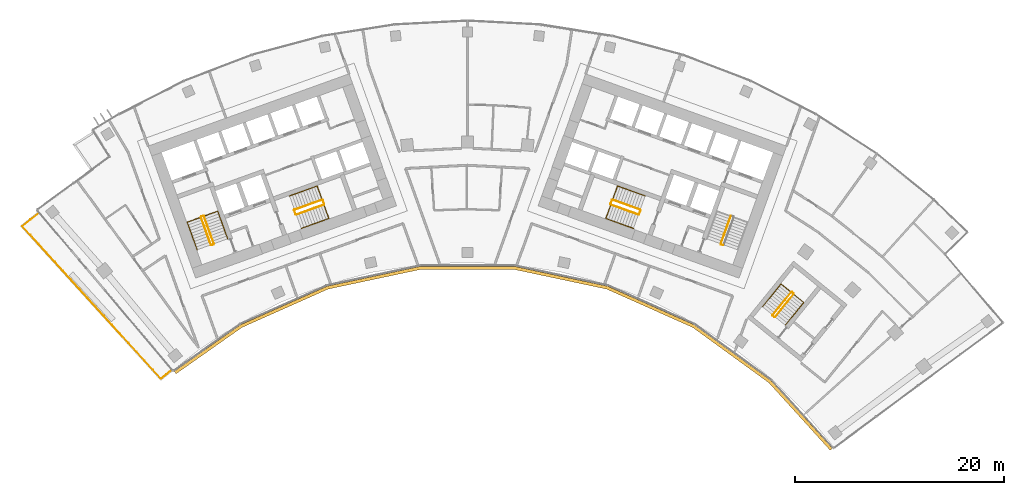
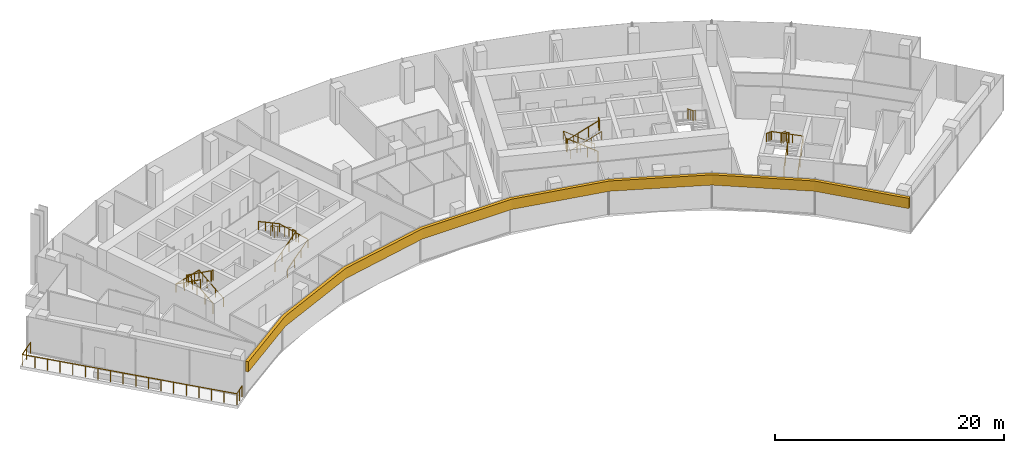
# One storey, part 17 of 18: 14 railings, 1 covering.
"""IFC4 building model written with IfcOpenShell, lengths in metres."""

from ifc_helpers import new_model, si_unit, direction, frame, origin, origin_2d, place, context, subcontext, project, spatial, polyline, circle, outline, extrude, material, layer, layer_set, type_object, element, save


model = new_model("IFC4")

# Units and contexts
model_context = context("Model", 3, precision=1e-05, world=origin(), true_north=direction((0.0, 1.0)))
body_context = subcontext(model_context, "Body", "Model", "MODEL_VIEW")
ifc_project = project(units=[si_unit("LENGTHUNIT", "METRE"), si_unit("AREAUNIT", "SQUARE_METRE"), si_unit("VOLUMEUNIT", "CUBIC_METRE"), si_unit("PLANEANGLEUNIT", "RADIAN"), si_unit("MASSUNIT", "GRAM", prefix="KILO")], contexts=[model_context])

# Site, building, storey
site_placement = place(None, origin())
site = spatial("IfcSite", under=ifc_project, at=site_placement, CompositionType="ELEMENT")
building_placement = place(site_placement, origin())
building = spatial("IfcBuilding", under=site, at=building_placement, Name="Stone Belt Terrace Tower", CompositionType="ELEMENT")
storey_placement = place(building_placement, frame((0.0, 0.0, 239.0)))
storey = spatial("IfcBuildingStorey", under=building, at=storey_placement, Name="L58", CompositionType="ELEMENT", Elevation=239.0)

# Railings
ifc_material_1 = material(Name="Structural steel C345", Category="steel")
railing_type_1 = type_object("IfcRailingType", Name="Stair guard 1100", PredefinedType="GUARDRAIL", material=ifc_material_1)
railing_1_placement = place(storey_placement, frame((-24.2119140625, 45.276123046875, 0.172607421875)))
element("IfcRailing", 1, at=railing_1_placement, inside=storey, type_object=railing_type_1, Name="L58 ST1A stair guard 1", PredefinedType="GUARDRAIL", context=body_context, shape_type="SweptSolid", body=[
    extrude(circle(Radius=0.02392578125, at=origin_2d()), frame((0.0, 0.0, 1.076171875), z_axis=(-0.288228637646, 0.800791768495, 0.525030280985), x_axis=(-0.940908529223, -0.338660803216, 0.0)), (0.0, 0.0, 1.0), 3.289794921875),
    extrude(circle(Radius=0.02392578125, at=origin_2d()), frame((-0.9482421875, 2.634521484375, 2.80322265625), z_axis=(-0.905209821074, 0.424964916, 0.0), x_axis=(-0.424964916, -0.905209821074, 0.0)), (0.0, 0.0, 1.0), 0.070556640625),
    extrude(circle(Radius=0.02392578125, at=origin_2d()), frame((-1.01220703125, 2.66455078125, 2.80322265625), z_axis=(-0.941105063269, -0.338114270461, 0.0), x_axis=(0.338114270461, -0.941105063269, 0.0)), (0.0, 0.0, 1.0), 0.199951171875),
    extrude(circle(Radius=0.02099609375, at=origin_2d()), origin(), (0.0, 0.0, 1.0), 1.052001953125),
    extrude(circle(Radius=0.02099609375, at=origin_2d()), frame((-0.316162109375, 0.878173828125, 0.57568359375)), (0.0, 0.0, 1.0), 1.052001953125),
    extrude(circle(Radius=0.02099609375, at=origin_2d()), frame((-0.632080078125, 1.75634765625, 1.151611328125)), (0.0, 0.0, 1.0), 1.052001953125),
    extrude(circle(Radius=0.02099609375, at=origin_2d()), frame((-0.9482421875, 2.634521484375, 1.727294921875)), (0.0, 0.0, 1.0), 1.052001953125),
    extrude(circle(Radius=0.02099609375, at=origin_2d()), frame((-1.01220703125, 2.66455078125, 1.727294921875)), (0.0, 0.0, 1.0), 1.052001953125),
    extrude(circle(Radius=0.02099609375, at=origin_2d()), frame((-1.200439453125, 2.596923828125, 1.727294921875)), (0.0, 0.0, 1.0), 1.052001953125),
])
railing_2_placement = place(storey_placement, frame((-25.4423828125, 47.80908203125, 2.07275390625)))
element("IfcRailing", 2, at=railing_2_placement, inside=storey, type_object=railing_type_1, Name="L58 ST1A stair guard 2", PredefinedType="GUARDRAIL", context=body_context, shape_type="SweptSolid", body=[
    extrude(circle(Radius=0.02392578125, at=origin_2d()), frame((0.0, 0.0, 1.076171875), z_axis=(0.288228637646, -0.800791768495, 0.525030280985), x_axis=(0.940908529223, 0.338660803216, 0.0)), (0.0, 0.0, 1.0), 3.289794921875),
    extrude(circle(Radius=0.02392578125, at=origin_2d()), frame((0.9482421875, -2.634521484375, 2.80322265625), z_axis=(0.903878284585, -0.427789722475, 0.0), x_axis=(0.427789722475, 0.903878284585, 0.0)), (0.0, 0.0, 1.0), 0.07080078125),
    extrude(circle(Radius=0.02392578125, at=origin_2d()), frame((1.01220703125, -2.664794921875, 2.80322265625), z_axis=(0.940575576748, 0.339584429008, 0.0), x_axis=(-0.339584429008, 0.940575576748, 0.0)), (0.0, 0.0, 1.0), 0.199951171875),
    extrude(circle(Radius=0.02099609375, at=origin_2d()), origin(), (0.0, 0.0, 1.0), 1.052001953125),
    extrude(circle(Radius=0.02099609375, at=origin_2d()), frame((0.316162109375, -0.878173828125, 0.57568359375)), (0.0, 0.0, 1.0), 1.052001953125),
    extrude(circle(Radius=0.02099609375, at=origin_2d()), frame((0.632080078125, -1.75634765625, 1.151611328125)), (0.0, 0.0, 1.0), 1.052001953125),
    extrude(circle(Radius=0.02099609375, at=origin_2d()), frame((0.9482421875, -2.634521484375, 1.727294921875)), (0.0, 0.0, 1.0), 1.052001953125),
    extrude(circle(Radius=0.02099609375, at=origin_2d()), frame((1.01220703125, -2.664794921875, 1.727294921875)), (0.0, 0.0, 1.0), 1.052001953125),
    extrude(circle(Radius=0.02099609375, at=origin_2d()), frame((1.2001953125, -2.596923828125, 1.727294921875)), (0.0, 0.0, 1.0), 1.052001953125),
])
railing_3_placement = place(storey_placement, frame((-16.33837890625, 48.056640625, 0.172607421875)))
element("IfcRailing", 3, at=railing_3_placement, inside=storey, type_object=railing_type_1, Name="L58 ST2A stair guard 1", PredefinedType="GUARDRAIL", context=body_context, shape_type="SweptSolid", body=[
    extrude(circle(Radius=0.02392578125, at=origin_2d()), frame((0.0, 0.0, 1.076171875), z_axis=(0.800808895155, 0.288160591223, 0.52504150989), x_axis=(-0.338583606334, 0.940936311087, 0.0)), (0.0, 0.0, 1.0), 3.289794921875),
    extrude(circle(Radius=0.02392578125, at=origin_2d()), frame((2.634521484375, 0.947998046875, 2.80322265625), z_axis=(0.427789722475, 0.903878284585, 0.0), x_axis=(-0.903878284585, 0.427789722475, 0.0)), (0.0, 0.0, 1.0), 0.07080078125),
    extrude(circle(Radius=0.02392578125, at=origin_2d()), frame((2.664794921875, 1.011962890625, 2.80322265625), z_axis=(-0.338654645739, 0.940910745459, 0.0), x_axis=(-0.940910745459, -0.338654645739, 0.0)), (0.0, 0.0, 1.0), 0.400146484375),
    extrude(circle(Radius=0.02099609375, at=origin_2d()), origin(), (0.0, 0.0, 1.0), 1.052001953125),
    extrude(circle(Radius=0.02099609375, at=origin_2d()), frame((0.878173828125, 0.31591796875, 0.57568359375)), (0.0, 0.0, 1.0), 1.052001953125),
    extrude(circle(Radius=0.02099609375, at=origin_2d()), frame((1.75634765625, 0.632080078125, 1.151611328125)), (0.0, 0.0, 1.0), 1.052001953125),
    extrude(circle(Radius=0.02099609375, at=origin_2d()), frame((2.634521484375, 0.947998046875, 1.727294921875)), (0.0, 0.0, 1.0), 1.052001953125),
    extrude(circle(Radius=0.02099609375, at=origin_2d()), frame((2.664794921875, 1.011962890625, 1.727294921875)), (0.0, 0.0, 1.0), 1.052001953125),
    extrude(circle(Radius=0.02099609375, at=origin_2d()), frame((2.529296875, 1.388427734375, 1.727294921875)), (0.0, 0.0, 1.0), 1.052001953125),
])
railing_4_placement = place(storey_placement, frame((-13.873046875, 49.47509765625, 2.07275390625)))
element("IfcRailing", 4, at=railing_4_placement, inside=storey, type_object=railing_type_1, Name="L58 ST2A stair guard 2", PredefinedType="GUARDRAIL", context=body_context, shape_type="SweptSolid", body=[
    extrude(circle(Radius=0.02392578125, at=origin_2d()), frame((0.0, 0.0, 1.076171875), z_axis=(-0.800808895155, -0.288160591223, 0.52504150989), x_axis=(0.338583606334, -0.940936311087, 0.0)), (0.0, 0.0, 1.0), 3.289794921875),
    extrude(circle(Radius=0.02392578125, at=origin_2d()), frame((-2.634521484375, -0.947998046875, 2.80322265625), z_axis=(-0.427789722475, -0.903878284585, 0.0), x_axis=(0.903878284585, -0.427789722475, 0.0)), (0.0, 0.0, 1.0), 0.07080078125),
    extrude(circle(Radius=0.02392578125, at=origin_2d()), frame((-2.664794921875, -1.011962890625, 2.80322265625), z_axis=(0.338654645739, -0.940910745459, 0.0), x_axis=(0.940910745459, 0.338654645739, 0.0)), (0.0, 0.0, 1.0), 0.400146484375),
    extrude(circle(Radius=0.02099609375, at=origin_2d()), origin(), (0.0, 0.0, 1.0), 1.052001953125),
    extrude(circle(Radius=0.02099609375, at=origin_2d()), frame((-0.878173828125, -0.31591796875, 0.57568359375)), (0.0, 0.0, 1.0), 1.052001953125),
    extrude(circle(Radius=0.02099609375, at=origin_2d()), frame((-1.75634765625, -0.632080078125, 1.151611328125)), (0.0, 0.0, 1.0), 1.052001953125),
    extrude(circle(Radius=0.02099609375, at=origin_2d()), frame((-2.634521484375, -0.947998046875, 1.727294921875)), (0.0, 0.0, 1.0), 1.052001953125),
    extrude(circle(Radius=0.02099609375, at=origin_2d()), frame((-2.664794921875, -1.011962890625, 1.727294921875)), (0.0, 0.0, 1.0), 1.052001953125),
    extrude(circle(Radius=0.02099609375, at=origin_2d()), frame((-2.529296875, -1.388427734375, 1.727294921875)), (0.0, 0.0, 1.0), 1.052001953125),
])
railing_5_placement = place(storey_placement, frame((25.16015625, 47.91064453125, 2.07275390625)))
element("IfcRailing", 5, at=railing_5_placement, inside=storey, type_object=railing_type_1, Name="L58 ST1B stair guard 2", PredefinedType="GUARDRAIL", context=body_context, shape_type="SweptSolid", body=[
    extrude(circle(Radius=0.02392578125, at=origin_2d()), frame((0.0, 0.0, 1.076171875), z_axis=(-0.288228637646, -0.800791768495, 0.525030280985), x_axis=(0.940908529223, -0.338660803216, 0.0)), (0.0, 0.0, 1.0), 3.289794921875),
    extrude(circle(Radius=0.02392578125, at=origin_2d()), frame((-0.9482421875, -2.634521484375, 2.80322265625), z_axis=(0.427789722475, -0.903878284585, 0.0), x_axis=(0.903878284585, 0.427789722475, 0.0)), (0.0, 0.0, 1.0), 0.07080078125),
    extrude(circle(Radius=0.02392578125, at=origin_2d()), frame((-0.91796875, -2.698486328125, 2.80322265625), z_axis=(0.940575576748, -0.339584429008, 0.0), x_axis=(0.339584429008, 0.940575576748, 0.0)), (0.0, 0.0, 1.0), 0.199951171875),
    extrude(circle(Radius=0.02099609375, at=origin_2d()), origin(), (0.0, 0.0, 1.0), 1.052001953125),
    extrude(circle(Radius=0.02099609375, at=origin_2d()), frame((-0.316162109375, -0.878173828125, 0.57568359375)), (0.0, 0.0, 1.0), 1.052001953125),
    extrude(circle(Radius=0.02099609375, at=origin_2d()), frame((-0.632080078125, -1.75634765625, 1.151611328125)), (0.0, 0.0, 1.0), 1.052001953125),
    extrude(circle(Radius=0.02099609375, at=origin_2d()), frame((-0.9482421875, -2.634521484375, 1.727294921875)), (0.0, 0.0, 1.0), 1.052001953125),
    extrude(circle(Radius=0.02099609375, at=origin_2d()), frame((-0.91796875, -2.698486328125, 1.727294921875)), (0.0, 0.0, 1.0), 1.052001953125),
    extrude(circle(Radius=0.02099609375, at=origin_2d()), frame((-0.72998046875, -2.766357421875, 1.727294921875)), (0.0, 0.0, 1.0), 1.052001953125),
])
railing_6_placement = place(storey_placement, frame((16.507568359375, 48.527099609375, 0.172607421875)))
element("IfcRailing", 6, at=railing_6_placement, inside=storey, type_object=railing_type_1, Name="L58 ST2B stair guard 1", PredefinedType="GUARDRAIL", context=body_context, shape_type="SweptSolid", body=[
    extrude(circle(Radius=0.02392578125, at=origin_2d()), frame((0.0, 0.0, 1.076171875), z_axis=(-0.800808895155, 0.288160591223, 0.52504150989), x_axis=(-0.338583606334, -0.940936311087, 0.0)), (0.0, 0.0, 1.0), 3.289794921875),
    extrude(circle(Radius=0.02392578125, at=origin_2d()), frame((-2.634521484375, 0.947998046875, 2.80322265625), z_axis=(-0.905209821074, -0.424964916, 0.0), x_axis=(0.424964916, -0.905209821074, 0.0)), (0.0, 0.0, 1.0), 0.070556640625),
    extrude(circle(Radius=0.02392578125, at=origin_2d()), frame((-2.698486328125, 0.91796875, 2.80322265625), z_axis=(-0.338654645739, -0.940910745459, 0.0), x_axis=(0.940910745459, -0.338654645739, 0.0)), (0.0, 0.0, 1.0), 0.400146484375),
    extrude(circle(Radius=0.02099609375, at=origin_2d()), origin(), (0.0, 0.0, 1.0), 1.052001953125),
    extrude(circle(Radius=0.02099609375, at=origin_2d()), frame((-0.878173828125, 0.31591796875, 0.57568359375)), (0.0, 0.0, 1.0), 1.052001953125),
    extrude(circle(Radius=0.02099609375, at=origin_2d()), frame((-1.75634765625, 0.632080078125, 1.151611328125)), (0.0, 0.0, 1.0), 1.052001953125),
    extrude(circle(Radius=0.02099609375, at=origin_2d()), frame((-2.634521484375, 0.947998046875, 1.727294921875)), (0.0, 0.0, 1.0), 1.052001953125),
    extrude(circle(Radius=0.02099609375, at=origin_2d()), frame((-2.698486328125, 0.91796875, 1.727294921875)), (0.0, 0.0, 1.0), 1.052001953125),
    extrude(circle(Radius=0.02099609375, at=origin_2d()), frame((-2.833984375, 0.54150390625, 1.727294921875)), (0.0, 0.0, 1.0), 1.052001953125),
])
railing_7_placement = place(storey_placement, frame((13.703857421875, 49.004638671875, 2.07275390625)))
element("IfcRailing", 7, at=railing_7_placement, inside=storey, type_object=railing_type_1, Name="L58 ST2B stair guard 2", PredefinedType="GUARDRAIL", context=body_context, shape_type="SweptSolid", body=[
    extrude(circle(Radius=0.02392578125, at=origin_2d()), frame((0.0, 0.0, 1.076171875), z_axis=(0.800808895155, -0.288160591223, 0.52504150989), x_axis=(0.338583606334, 0.940936311087, 0.0)), (0.0, 0.0, 1.0), 3.289794921875),
    extrude(circle(Radius=0.02392578125, at=origin_2d()), frame((2.634521484375, -0.947998046875, 2.80322265625), z_axis=(0.905209821074, 0.424964916, 0.0), x_axis=(-0.424964916, 0.905209821074, 0.0)), (0.0, 0.0, 1.0), 0.070556640625),
    extrude(circle(Radius=0.02392578125, at=origin_2d()), frame((2.698486328125, -0.91796875, 2.80322265625), z_axis=(0.338654645739, 0.940910745459, 0.0), x_axis=(-0.940910745459, 0.338654645739, 0.0)), (0.0, 0.0, 1.0), 0.400146484375),
    extrude(circle(Radius=0.02099609375, at=origin_2d()), origin(), (0.0, 0.0, 1.0), 1.052001953125),
    extrude(circle(Radius=0.02099609375, at=origin_2d()), frame((0.878173828125, -0.31591796875, 0.57568359375)), (0.0, 0.0, 1.0), 1.052001953125),
    extrude(circle(Radius=0.02099609375, at=origin_2d()), frame((1.75634765625, -0.632080078125, 1.151611328125)), (0.0, 0.0, 1.0), 1.052001953125),
    extrude(circle(Radius=0.02099609375, at=origin_2d()), frame((2.634521484375, -0.947998046875, 1.727294921875)), (0.0, 0.0, 1.0), 1.052001953125),
    extrude(circle(Radius=0.02099609375, at=origin_2d()), frame((2.698486328125, -0.91796875, 1.727294921875)), (0.0, 0.0, 1.0), 1.052001953125),
    extrude(circle(Radius=0.02099609375, at=origin_2d()), frame((2.833984375, -0.54150390625, 1.727294921875)), (0.0, 0.0, 1.0), 1.052001953125),
])
railing_8_placement = place(storey_placement, frame((29.39794921875, 38.281982421875, 0.172607421875)))
element("IfcRailing", 8, at=railing_8_placement, inside=storey, type_object=railing_type_1, Name="L58 ST3B stair guard 1", PredefinedType="GUARDRAIL", context=body_context, shape_type="SweptSolid", body=[
    extrude(circle(Radius=0.02392578125, at=origin_2d()), frame((0.0, 0.0, 1.076171875), z_axis=(0.536393061503, 0.660769759217, 0.525038864158), x_axis=(-0.776391310223, 0.630251166924, 0.0)), (0.0, 0.0, 1.0), 3.289794921875),
    extrude(circle(Radius=0.02392578125, at=origin_2d()), frame((1.7646484375, 2.173828125, 2.80322265625), z_axis=(-0.103251414163, 0.994655289773, 0.0), x_axis=(-0.994655289773, -0.103251414163, 0.0)), (0.0, 0.0, 1.0), 0.071044921875),
    extrude(circle(Radius=0.02392578125, at=origin_2d()), frame((1.75732421875, 2.244384765625, 2.80322265625), z_axis=(-0.776561986372, 0.630040856868, 0.0), x_axis=(-0.630040856868, -0.776561986372, 0.0)), (0.0, 0.0, 1.0), 0.199951171875),
    extrude(circle(Radius=0.02099609375, at=origin_2d()), origin(), (0.0, 0.0, 1.0), 1.052001953125),
    extrude(circle(Radius=0.02099609375, at=origin_2d()), frame((0.588134765625, 0.724609375, 0.57568359375)), (0.0, 0.0, 1.0), 1.052001953125),
    extrude(circle(Radius=0.02099609375, at=origin_2d()), frame((1.176513671875, 1.44921875, 1.151611328125)), (0.0, 0.0, 1.0), 1.052001953125),
    extrude(circle(Radius=0.02099609375, at=origin_2d()), frame((1.7646484375, 2.173828125, 1.727294921875)), (0.0, 0.0, 1.0), 1.052001953125),
    extrude(circle(Radius=0.02099609375, at=origin_2d()), frame((1.75732421875, 2.244384765625, 1.727294921875)), (0.0, 0.0, 1.0), 1.052001953125),
    extrude(circle(Radius=0.02099609375, at=origin_2d()), frame((1.60205078125, 2.370361328125, 1.727294921875)), (0.0, 0.0, 1.0), 1.052001953125),
])
railing_9_placement = place(storey_placement, frame((30.9296875, 40.64501953125, 2.07275390625)))
element("IfcRailing", 9, at=railing_9_placement, inside=storey, type_object=railing_type_1, Name="L58 ST3B stair guard 2", PredefinedType="GUARDRAIL", context=body_context, shape_type="SweptSolid", body=[
    extrude(circle(Radius=0.02392578125, at=origin_2d()), frame((0.0, 0.0, 1.076171875), z_axis=(-0.536366759382, -0.660811565066, 0.525013118792), x_axis=(0.776425942316, -0.630208502084, 0.0)), (0.0, 0.0, 1.0), 3.2900390625),
    extrude(circle(Radius=0.02392578125, at=origin_2d()), frame((-1.7646484375, -2.174072265625, 2.80322265625), z_axis=(0.103606084259, -0.994618408891, 0.0), x_axis=(0.994618408891, 0.103606084259, 0.0)), (0.0, 0.0, 1.0), 0.07080078125),
    extrude(circle(Radius=0.02392578125, at=origin_2d()), frame((-1.75732421875, -2.244384765625, 2.80322265625), z_axis=(0.776561986372, -0.630040856868, 0.0), x_axis=(0.630040856868, 0.776561986372, 0.0)), (0.0, 0.0, 1.0), 0.199951171875),
    extrude(circle(Radius=0.02099609375, at=origin_2d()), origin(), (0.0, 0.0, 1.0), 1.052001953125),
    extrude(circle(Radius=0.02099609375, at=origin_2d()), frame((-0.588134765625, -0.724609375, 0.57568359375)), (0.0, 0.0, 1.0), 1.052001953125),
    extrude(circle(Radius=0.02099609375, at=origin_2d()), frame((-1.176513671875, -1.449462890625, 1.151611328125)), (0.0, 0.0, 1.0), 1.052001953125),
    extrude(circle(Radius=0.02099609375, at=origin_2d()), frame((-1.7646484375, -2.174072265625, 1.727294921875)), (0.0, 0.0, 1.0), 1.052001953125),
    extrude(circle(Radius=0.02099609375, at=origin_2d()), frame((-1.75732421875, -2.244384765625, 1.727294921875)), (0.0, 0.0, 1.0), 1.052001953125),
    extrude(circle(Radius=0.02099609375, at=origin_2d()), frame((-1.60205078125, -2.370361328125, 1.727294921875)), (0.0, 0.0, 1.0), 1.052001953125),
])
railing_type_2 = type_object("IfcRailingType", Name="Stair handrail 900", PredefinedType="HANDRAIL", material=ifc_material_1)
railing_10_placement = place(storey_placement, frame((-22.894775390625, 45.750244140625, 0.172607421875)))
element("IfcRailing", 10, at=railing_10_placement, inside=storey, type_object=railing_type_2, Name="L58 ST1A stair handrail 1", PredefinedType="HANDRAIL", context=body_context, shape_type="SweptSolid", body=[
    extrude(circle(Radius=0.02392578125, at=origin_2d()), frame((0.0, 0.0, 0.8759765625), z_axis=(-0.288160591223, 0.800808895155, 0.52504150989), x_axis=(-0.940936311087, -0.338583606334, 0.0)), (0.0, 0.0, 1.0), 3.289794921875),
    extrude(circle(Radius=0.02392578125, at=origin_2d()), frame((-0.947998046875, 2.634521484375, 2.60302734375), z_axis=(-0.939460408074, -0.338105101667, 0.055669398135), x_axis=(0.338630230244, -0.940919532779, 0.0)), (0.0, 0.0, 1.0), 3.10498046875),
    extrude(circle(Radius=0.02392578125, at=origin_2d()), frame((-3.864990234375, 1.584716796875, 2.77587890625), z_axis=(0.288228637646, -0.800791768495, 0.525030280985), x_axis=(0.940908529223, 0.338660803216, 0.0)), (0.0, 0.0, 1.0), 3.289794921875),
    extrude(circle(Radius=0.02099609375, at=origin_2d()), origin(), (0.0, 0.0, 1.0), 0.851806640625),
    extrude(circle(Radius=0.02099609375, at=origin_2d()), frame((-0.31591796875, 0.878173828125, 0.57568359375)), (0.0, 0.0, 1.0), 0.851806640625),
    extrude(circle(Radius=0.02099609375, at=origin_2d()), frame((-0.632080078125, 1.75634765625, 1.151611328125)), (0.0, 0.0, 1.0), 0.851806640625),
    extrude(circle(Radius=0.02099609375, at=origin_2d()), frame((-0.947998046875, 2.634521484375, 1.727294921875)), (0.0, 0.0, 1.0), 0.851806640625),
    extrude(circle(Radius=0.02099609375, at=origin_2d()), frame((-1.92041015625, 2.28466796875, 1.784912109375)), (0.0, 0.0, 1.0), 0.851806640625),
    extrude(circle(Radius=0.02099609375, at=origin_2d()), frame((-2.892578125, 1.9345703125, 1.842529296875)), (0.0, 0.0, 1.0), 0.851806640625),
    extrude(circle(Radius=0.02099609375, at=origin_2d()), frame((-3.864990234375, 1.584716796875, 1.900146484375)), (0.0, 0.0, 1.0), 0.851806640625),
    extrude(circle(Radius=0.02099609375, at=origin_2d()), frame((-3.548828125, 0.70654296875, 2.475830078125)), (0.0, 0.0, 1.0), 0.851806640625),
    extrude(circle(Radius=0.02099609375, at=origin_2d()), frame((-3.23291015625, -0.171630859375, 3.0517578125)), (0.0, 0.0, 1.0), 0.851806640625),
    extrude(circle(Radius=0.02099609375, at=origin_2d()), frame((-2.916748046875, -1.0498046875, 3.62744140625)), (0.0, 0.0, 1.0), 0.851806640625),
])
railing_11_placement = place(storey_placement, frame((-15.8642578125, 46.7392578125, 0.172607421875)))
element("IfcRailing", 11, at=railing_11_placement, inside=storey, type_object=railing_type_2, Name="L58 ST2A stair handrail 1", PredefinedType="HANDRAIL", context=body_context, shape_type="SweptSolid", body=[
    extrude(circle(Radius=0.02392578125, at=origin_2d()), frame((0.0, 0.0, 0.8759765625), z_axis=(0.800791768495, 0.288228637646, 0.525030280985), x_axis=(-0.338660803216, 0.940908529223, 0.0)), (0.0, 0.0, 1.0), 3.289794921875),
    extrude(circle(Radius=0.02392578125, at=origin_2d()), frame((2.634521484375, 0.9482421875, 2.60302734375), z_axis=(-0.338158948057, 0.939634149308, 0.052308615955), x_axis=(-0.940922302781, -0.338622533404, 0.0)), (0.0, 0.0, 1.0), 3.304443359375),
    extrude(circle(Radius=0.02392578125, at=origin_2d()), frame((1.51708984375, 4.05322265625, 2.77587890625), z_axis=(-0.800791768495, -0.288228637646, 0.525030280985), x_axis=(0.338660803216, -0.940908529223, 0.0)), (0.0, 0.0, 1.0), 3.289794921875),
    extrude(circle(Radius=0.02099609375, at=origin_2d()), origin(), (0.0, 0.0, 1.0), 0.851806640625),
    extrude(circle(Radius=0.02099609375, at=origin_2d()), frame((0.878173828125, 0.316162109375, 0.57568359375)), (0.0, 0.0, 1.0), 0.851806640625),
    extrude(circle(Radius=0.02099609375, at=origin_2d()), frame((1.75634765625, 0.632080078125, 1.151611328125)), (0.0, 0.0, 1.0), 0.851806640625),
    extrude(circle(Radius=0.02099609375, at=origin_2d()), frame((2.634521484375, 0.9482421875, 1.727294921875)), (0.0, 0.0, 1.0), 0.851806640625),
    extrude(circle(Radius=0.02099609375, at=origin_2d()), frame((2.261962890625, 1.983154296875, 1.784912109375)), (0.0, 0.0, 1.0), 0.851806640625),
    extrude(circle(Radius=0.02099609375, at=origin_2d()), frame((1.8896484375, 3.018310546875, 1.842529296875)), (0.0, 0.0, 1.0), 0.851806640625),
    extrude(circle(Radius=0.02099609375, at=origin_2d()), frame((1.51708984375, 4.05322265625, 1.900146484375)), (0.0, 0.0, 1.0), 0.851806640625),
    extrude(circle(Radius=0.02099609375, at=origin_2d()), frame((0.638916015625, 3.737060546875, 2.475830078125)), (0.0, 0.0, 1.0), 0.851806640625),
    extrude(circle(Radius=0.02099609375, at=origin_2d()), frame((-0.2392578125, 3.421142578125, 3.0517578125)), (0.0, 0.0, 1.0), 0.851806640625),
    extrude(circle(Radius=0.02099609375, at=origin_2d()), frame((-1.117431640625, 3.10498046875, 3.62744140625)), (0.0, 0.0, 1.0), 0.851806640625),
])
railing_12_placement = place(storey_placement, frame((16.981689453125, 49.84423828125, 0.172607421875)))
element("IfcRailing", 12, at=railing_12_placement, inside=storey, type_object=railing_type_2, Name="L58 ST2B stair handrail 1", PredefinedType="HANDRAIL", context=body_context, shape_type="SweptSolid", body=[
    extrude(circle(Radius=0.02392578125, at=origin_2d()), frame((0.0, 0.0, 0.8759765625), z_axis=(-0.800791768495, 0.288228637646, 0.525030280985), x_axis=(-0.338660803216, -0.940908529223, 0.0)), (0.0, 0.0, 1.0), 3.289794921875),
    extrude(circle(Radius=0.02392578125, at=origin_2d()), frame((-2.634521484375, 0.9482421875, 2.60302734375), z_axis=(-0.338158948057, -0.939634149308, 0.052308615955), x_axis=(0.940922302781, -0.338622533404, 0.0)), (0.0, 0.0, 1.0), 3.304443359375),
    extrude(circle(Radius=0.02392578125, at=origin_2d()), frame((-3.751953125, -2.15673828125, 2.77587890625), z_axis=(0.800791768495, -0.288228637646, 0.525030280985), x_axis=(0.338660803216, 0.940908529223, 0.0)), (0.0, 0.0, 1.0), 3.289794921875),
    extrude(circle(Radius=0.02099609375, at=origin_2d()), origin(), (0.0, 0.0, 1.0), 0.851806640625),
    extrude(circle(Radius=0.02099609375, at=origin_2d()), frame((-0.878173828125, 0.316162109375, 0.57568359375)), (0.0, 0.0, 1.0), 0.851806640625),
    extrude(circle(Radius=0.02099609375, at=origin_2d()), frame((-1.75634765625, 0.632080078125, 1.151611328125)), (0.0, 0.0, 1.0), 0.851806640625),
    extrude(circle(Radius=0.02099609375, at=origin_2d()), frame((-2.634521484375, 0.9482421875, 1.727294921875)), (0.0, 0.0, 1.0), 0.851806640625),
    extrude(circle(Radius=0.02099609375, at=origin_2d()), frame((-3.007080078125, -0.086669921875, 1.784912109375)), (0.0, 0.0, 1.0), 0.851806640625),
    extrude(circle(Radius=0.02099609375, at=origin_2d()), frame((-3.37939453125, -1.121826171875, 1.842529296875)), (0.0, 0.0, 1.0), 0.851806640625),
    extrude(circle(Radius=0.02099609375, at=origin_2d()), frame((-3.751953125, -2.15673828125, 1.900146484375)), (0.0, 0.0, 1.0), 0.851806640625),
    extrude(circle(Radius=0.02099609375, at=origin_2d()), frame((-2.873779296875, -2.472900390625, 2.475830078125)), (0.0, 0.0, 1.0), 0.851806640625),
    extrude(circle(Radius=0.02099609375, at=origin_2d()), frame((-1.99560546875, -2.788818359375, 3.0517578125)), (0.0, 0.0, 1.0), 0.851806640625),
    extrude(circle(Radius=0.02099609375, at=origin_2d()), frame((-1.117431640625, -3.10498046875, 3.62744140625)), (0.0, 0.0, 1.0), 0.851806640625),
])
railing_13_placement = place(storey_placement, frame((30.36865234375, 37.494140625, 0.172607421875)))
element("IfcRailing", 13, at=railing_13_placement, inside=storey, type_object=railing_type_2, Name="L58 ST3B stair handrail 1", PredefinedType="HANDRAIL", context=body_context, shape_type="SweptSolid", body=[
    extrude(circle(Radius=0.02392578125, at=origin_2d()), frame((0.0, 0.0, 0.8759765625), z_axis=(0.536366759382, 0.660811565066, 0.525013118792), x_axis=(-0.776425942316, 0.630208502084, 0.0)), (0.0, 0.0, 1.0), 3.2900390625),
    extrude(circle(Radius=0.02392578125, at=origin_2d()), frame((1.7646484375, 2.174072265625, 2.60302734375), z_axis=(-0.774950814199, 0.629011171817, 0.061613158501), x_axis=(-0.630208502084, -0.776425942316, 0.0)), (0.0, 0.0, 1.0), 2.805419921875),
    extrude(circle(Radius=0.02392578125, at=origin_2d()), frame((-0.409423828125, 3.938720703125, 2.77587890625), z_axis=(-0.536366759382, -0.660811565066, 0.525013118792), x_axis=(0.776425942316, -0.630208502084, 0.0)), (0.0, 0.0, 1.0), 3.2900390625),
    extrude(circle(Radius=0.02099609375, at=origin_2d()), origin(), (0.0, 0.0, 1.0), 0.851806640625),
    extrude(circle(Radius=0.02099609375, at=origin_2d()), frame((0.588134765625, 0.724609375, 0.57568359375)), (0.0, 0.0, 1.0), 0.851806640625),
    extrude(circle(Radius=0.02099609375, at=origin_2d()), frame((1.176513671875, 1.449462890625, 1.151611328125)), (0.0, 0.0, 1.0), 0.851806640625),
    extrude(circle(Radius=0.02099609375, at=origin_2d()), frame((1.7646484375, 2.174072265625, 1.727294921875)), (0.0, 0.0, 1.0), 0.851806640625),
    extrude(circle(Radius=0.02099609375, at=origin_2d()), frame((1.0400390625, 2.76220703125, 1.784912109375)), (0.0, 0.0, 1.0), 0.851806640625),
    extrude(circle(Radius=0.02099609375, at=origin_2d()), frame((0.315185546875, 3.3505859375, 1.842529296875)), (0.0, 0.0, 1.0), 0.851806640625),
    extrude(circle(Radius=0.02099609375, at=origin_2d()), frame((-0.409423828125, 3.938720703125, 1.900146484375)), (0.0, 0.0, 1.0), 0.851806640625),
    extrude(circle(Radius=0.02099609375, at=origin_2d()), frame((-0.99755859375, 3.214111328125, 2.475830078125)), (0.0, 0.0, 1.0), 0.851806640625),
    extrude(circle(Radius=0.02099609375, at=origin_2d()), frame((-1.5859375, 2.4892578125, 3.0517578125)), (0.0, 0.0, 1.0), 0.851806640625),
    extrude(circle(Radius=0.02099609375, at=origin_2d()), frame((-2.174072265625, 1.7646484375, 3.62744140625)), (0.0, 0.0, 1.0), 0.851806640625),
])
ifc_material_2 = material(Name="Stainless steel AISI 304", Category="steel")
railing_type_3 = type_object("IfcRailingType", Name="Terrace guard 1200", PredefinedType="GUARDRAIL", material=ifc_material_2)
railing_14_placement = place(storey_placement, frame((-40.943115234375, 48.19775390625, 0.0)))
element("IfcRailing", 14, at=railing_14_placement, inside=storey, type_object=railing_type_3, Name="GUARD L58 1.1", PredefinedType="GUARDRAIL", context=body_context, shape_type="SweptSolid", body=[
    extrude(circle(Radius=0.02490234375, at=origin_2d()), frame((0.0, 0.0, 1.1748046875), z_axis=(-0.783477222573, -0.621420503129, 0.0), x_axis=(0.621420503129, -0.783477222573, 0.0)), (0.0, 0.0, 1.0), 2.003662109375),
    extrude(circle(Radius=0.02490234375, at=origin_2d()), frame((-1.56982421875, -1.2451171875, 1.1748046875), z_axis=(0.672946149408, -0.739691476223, 0.0), x_axis=(0.739691476223, 0.672946149408, 0.0)), (0.0, 0.0, 1.0), 19.68994140625),
    extrude(circle(Radius=0.02490234375, at=origin_2d()), frame((11.680419921875, -15.8095703125, 1.1748046875), z_axis=(0.774987246134, 0.631976873255, 0.0), x_axis=(-0.631976873255, 0.774987246134, 0.0)), (0.0, 0.0, 1.0), 1.287109375),
    extrude(circle(Radius=0.02001953125, at=origin_2d()), origin(), (0.0, 0.0, 1.0), 1.14990234375),
    extrude(circle(Radius=0.02001953125, at=origin_2d()), frame((-0.784912109375, -0.62255859375, 0.0)), (0.0, 0.0, 1.0), 1.14990234375),
    extrude(circle(Radius=0.02001953125, at=origin_2d()), frame((-1.56982421875, -1.2451171875, 0.0)), (0.0, 0.0, 1.0), 1.14990234375),
    extrude(circle(Radius=0.02001953125, at=origin_2d()), frame((-0.790283203125, -2.101806640625, 0.0)), (0.0, 0.0, 1.0), 1.14990234375),
    extrude(circle(Radius=0.02001953125, at=origin_2d()), frame((-0.010986328125, -2.95849609375, 0.0)), (0.0, 0.0, 1.0), 1.14990234375),
    extrude(circle(Radius=0.02001953125, at=origin_2d()), frame((0.7685546875, -3.8154296875, 0.0)), (0.0, 0.0, 1.0), 1.14990234375),
    extrude(circle(Radius=0.02001953125, at=origin_2d()), frame((1.5478515625, -4.672119140625, 0.0)), (0.0, 0.0, 1.0), 1.14990234375),
    extrude(circle(Radius=0.02001953125, at=origin_2d()), frame((2.327392578125, -5.52880859375, 0.0)), (0.0, 0.0, 1.0), 1.14990234375),
    extrude(circle(Radius=0.02001953125, at=origin_2d()), frame((3.106689453125, -6.385498046875, 0.0)), (0.0, 0.0, 1.0), 1.14990234375),
    extrude(circle(Radius=0.02001953125, at=origin_2d()), frame((3.88623046875, -7.2421875, 0.0)), (0.0, 0.0, 1.0), 1.14990234375),
    extrude(circle(Radius=0.02001953125, at=origin_2d()), frame((4.66552734375, -8.098876953125, 0.0)), (0.0, 0.0, 1.0), 1.14990234375),
    extrude(circle(Radius=0.02001953125, at=origin_2d()), frame((5.445068359375, -8.955810546875, 0.0)), (0.0, 0.0, 1.0), 1.14990234375),
    extrude(circle(Radius=0.02001953125, at=origin_2d()), frame((6.224365234375, -9.8125, 0.0)), (0.0, 0.0, 1.0), 1.14990234375),
    extrude(circle(Radius=0.02001953125, at=origin_2d()), frame((7.00390625, -10.669189453125, 0.0)), (0.0, 0.0, 1.0), 1.14990234375),
    extrude(circle(Radius=0.02001953125, at=origin_2d()), frame((7.783203125, -11.52587890625, 0.0)), (0.0, 0.0, 1.0), 1.14990234375),
    extrude(circle(Radius=0.02001953125, at=origin_2d()), frame((8.562744140625, -12.382568359375, 0.0)), (0.0, 0.0, 1.0), 1.14990234375),
    extrude(circle(Radius=0.02001953125, at=origin_2d()), frame((9.342041015625, -13.2392578125, 0.0)), (0.0, 0.0, 1.0), 1.14990234375),
    extrude(circle(Radius=0.02001953125, at=origin_2d()), frame((10.12158203125, -14.09619140625, 0.0)), (0.0, 0.0, 1.0), 1.14990234375),
    extrude(circle(Radius=0.02001953125, at=origin_2d()), frame((10.90087890625, -14.952880859375, 0.0)), (0.0, 0.0, 1.0), 1.14990234375),
    extrude(circle(Radius=0.02001953125, at=origin_2d()), frame((11.680419921875, -15.8095703125, 0.0)), (0.0, 0.0, 1.0), 1.14990234375),
    extrude(circle(Radius=0.02001953125, at=origin_2d()), frame((12.17919921875, -15.40283203125, 0.0)), (0.0, 0.0, 1.0), 1.14990234375),
    extrude(circle(Radius=0.02001953125, at=origin_2d()), frame((12.677978515625, -14.99609375, 0.0)), (0.0, 0.0, 1.0), 1.14990234375),
])

# Covering
ifc_material_3 = material(Name="Terracotta coloured glazed ceramic", Category="masonry")
ifc_layer = layer(ifc_material_3, 0.300048828125)
ifc_layer_set = layer_set([ifc_layer], Name="Terracotta spandrel band 300 x 1100")
covering_type = type_object("IfcCoveringType", Name="Terracotta spandrel band 300 x 1100", PredefinedType="CLADDING", material=ifc_layer_set)
covering_placement = place(storey_placement, frame((0.0, 0.0, 2.699951171875)))
element("IfcCovering", 15, at=covering_placement, inside=storey, type_object=covering_type, Name="BAND L58", PredefinedType="CLADDING", context=body_context, shape_type="SweptSolid", body=[
    extrude(outline(polyline([(-27.99755859375, 33.096923828125), (-21.67578125, 37.541015625), (-13.395751953125, 41.2275390625), (-4.53125, 43.11181640625), (4.53125, 43.11181640625), (13.395751953125, 41.2275390625), (21.674560546875, 37.54150390625), (29.006591796875, 32.214599609375), (34.877197265625, 25.74609375), (34.655029296875, 25.544677734375), (28.80517578125, 31.989990234375), (21.523681640625, 37.2802734375), (13.302490234375, 40.940673828125), (4.499755859375, 42.811767578125), (-4.499755859375, 42.811767578125), (-13.302490234375, 40.940673828125), (-21.527099609375, 37.27880859375), (-27.8251953125, 32.8515625), (-27.99755859375, 33.096923828125)])), origin(), (0.0, 0.0, 1.0), 1.10009765625),
])

save(model, "model.ifc")
